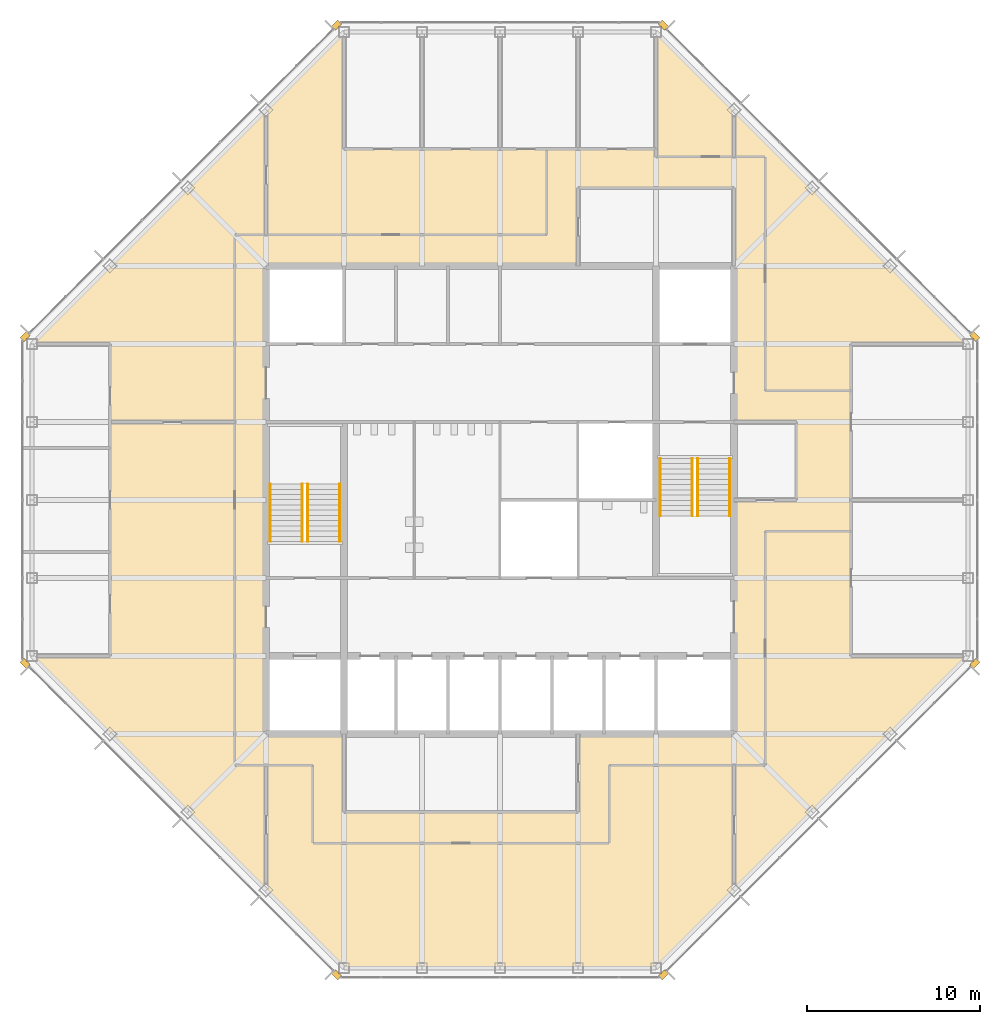
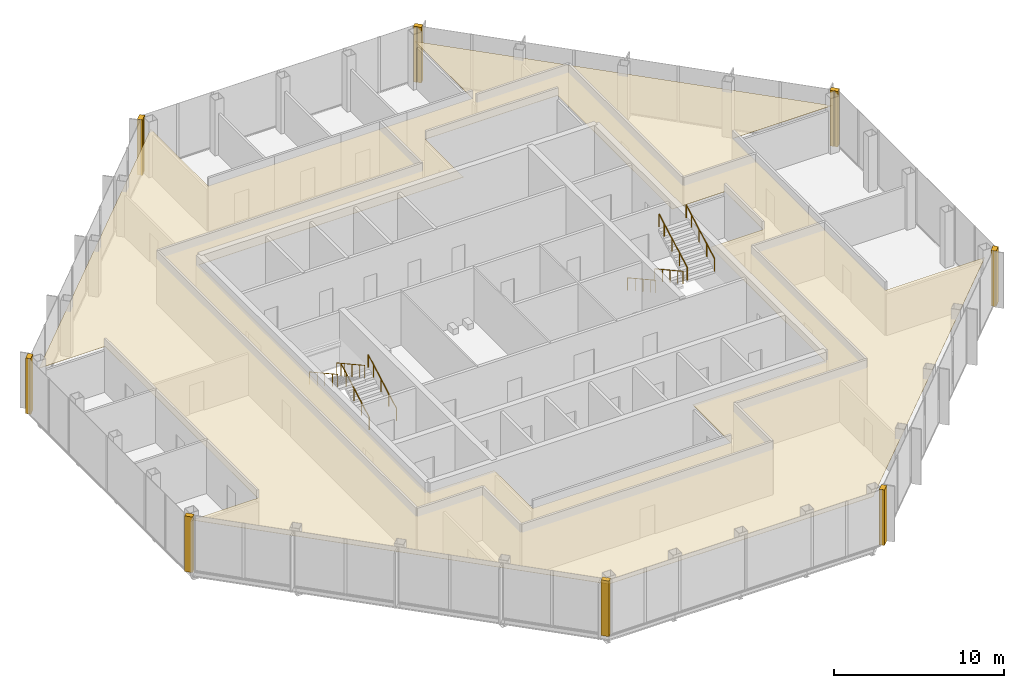
# One storey, part 13 of 14: 9 coverings, 8 railings.
"""IFC4 building model written with IfcOpenShell, lengths in metres."""

from ifc_helpers import new_model, si_unit, direction, frame, origin, origin_2d, place, context, subcontext, project, spatial, polyline, circle, outline, extrude, material, layer, layer_set, type_object, element, save


model = new_model("IFC4")

# Units and contexts
model_context = context("Model", 3, precision=1e-05, world=origin(), true_north=direction((0.0, 1.0)))
body_context = subcontext(model_context, "Body", "Model", "MODEL_VIEW")
ifc_project = project(units=[si_unit("LENGTHUNIT", "METRE"), si_unit("AREAUNIT", "SQUARE_METRE"), si_unit("VOLUMEUNIT", "CUBIC_METRE"), si_unit("PLANEANGLEUNIT", "RADIAN"), si_unit("MASSUNIT", "GRAM", prefix="KILO")], contexts=[model_context])

# Site, building, storey
site_placement = place(None, origin())
site = spatial("IfcSite", under=ifc_project, at=site_placement, CompositionType="ELEMENT")
building_placement = place(site_placement, origin())
building = spatial("IfcBuilding", under=site, at=building_placement, Name="Corais Broadcast Tower", CompositionType="ELEMENT")
storey_placement = place(building_placement, frame((0.0, 0.0, 290.60009765625)))
storey = spatial("IfcBuildingStorey", under=building, at=storey_placement, Name="L68", CompositionType="ELEMENT", Elevation=290.60009765625)

# Railings
ifc_material_1 = material(Name="Stainless steel handrail", Category="steel")
railing_type = type_object("IfcRailingType", Name="Handrail 920", PredefinedType="HANDRAIL", material=ifc_material_1)
for number, where, name in (
    (1, (17.75, 24.60009765625, 0.16650390625), "HR1 L68"),
    (2, (15.89990234375, 24.60009765625, 0.16650390625), "HR1 L68"),
):
    element("IfcRailing", number, at=place(storey_placement, frame(where)), inside=storey, type_object=railing_type, Name=name, PredefinedType="HANDRAIL", context=body_context, shape_type="SweptSolid", body=[
        extrude(circle(Radius=0.02392578125, at=origin_2d()), frame((0.0, 0.0, 0.89599609375), z_axis=(0.0, 0.875504475178, 0.483210010185), x_axis=(-1.0, 0.0, 0.0)), (0.0, 0.0, 1.0), 3.79443359375),
        extrude(circle(Radius=0.02099609375, at=origin_2d()), origin(), (0.0, 0.0, 1.0), 0.871826171875),
        extrude(circle(Radius=0.02099609375, at=origin_2d()), frame((0.0, 0.906005859375, 0.5)), (0.0, 0.0, 1.0), 0.871826171875),
        extrude(circle(Radius=0.02099609375, at=origin_2d()), frame((0.0, 1.81201171875, 1.0)), (0.0, 0.0, 1.0), 0.871826171875),
        extrude(circle(Radius=0.02099609375, at=origin_2d()), frame((0.0, 2.718017578125, 1.500244140625)), (0.0, 0.0, 1.0), 0.871826171875),
        extrude(circle(Radius=0.02099609375, at=origin_2d()), frame((0.0, 3.322021484375, 1.83349609375)), (0.0, 0.0, 1.0), 0.871826171875),
    ])
for number, where, name in (
    (3, (13.75, 27.922119140625, 2.16650390625), "HR1 L68"),
    (4, (15.60009765625, 27.922119140625, 2.16650390625), "HR1 L68"),
    (5, (36.25, 29.39990234375, 0.16650390625), "HR1 L68"),
    (6, (38.10009765625, 29.39990234375, 0.16650390625), "HR1 L68"),
):
    element("IfcRailing", number, at=place(storey_placement, frame(where)), inside=storey, type_object=railing_type, Name=name, PredefinedType="HANDRAIL", context=body_context, shape_type="SweptSolid", body=[
        extrude(circle(Radius=0.02392578125, at=origin_2d()), frame((0.0, 0.0, 0.89599609375), z_axis=(0.0, -0.875504475178, 0.483210010185), x_axis=(1.0, 0.0, 0.0)), (0.0, 0.0, 1.0), 3.79443359375),
        extrude(circle(Radius=0.02099609375, at=origin_2d()), origin(), (0.0, 0.0, 1.0), 0.871826171875),
        extrude(circle(Radius=0.02099609375, at=origin_2d()), frame((0.0, -0.906005859375, 0.5)), (0.0, 0.0, 1.0), 0.871826171875),
        extrude(circle(Radius=0.02099609375, at=origin_2d()), frame((0.0, -1.81201171875, 1.0)), (0.0, 0.0, 1.0), 0.871826171875),
        extrude(circle(Radius=0.02099609375, at=origin_2d()), frame((0.0, -2.718017578125, 1.500244140625)), (0.0, 0.0, 1.0), 0.871826171875),
        extrude(circle(Radius=0.02099609375, at=origin_2d()), frame((0.0, -3.322021484375, 1.83349609375)), (0.0, 0.0, 1.0), 0.871826171875),
    ])
for number, where, name in (
    (7, (40.25, 26.077880859375, 2.16650390625), "HR1 L68"),
    (8, (38.39990234375, 26.077880859375, 2.16650390625), "HR1 L68"),
):
    element("IfcRailing", number, at=place(storey_placement, frame(where)), inside=storey, type_object=railing_type, Name=name, PredefinedType="HANDRAIL", context=body_context, shape_type="SweptSolid", body=[
        extrude(circle(Radius=0.02392578125, at=origin_2d()), frame((0.0, 0.0, 0.89599609375), z_axis=(0.0, 0.875504475178, 0.483210010185), x_axis=(-1.0, 0.0, 0.0)), (0.0, 0.0, 1.0), 3.79443359375),
        extrude(circle(Radius=0.02099609375, at=origin_2d()), origin(), (0.0, 0.0, 1.0), 0.871826171875),
        extrude(circle(Radius=0.02099609375, at=origin_2d()), frame((0.0, 0.906005859375, 0.5)), (0.0, 0.0, 1.0), 0.871826171875),
        extrude(circle(Radius=0.02099609375, at=origin_2d()), frame((0.0, 1.81201171875, 1.0)), (0.0, 0.0, 1.0), 0.871826171875),
        extrude(circle(Radius=0.02099609375, at=origin_2d()), frame((0.0, 2.718017578125, 1.500244140625)), (0.0, 0.0, 1.0), 0.871826171875),
        extrude(circle(Radius=0.02099609375, at=origin_2d()), frame((0.0, 3.322021484375, 1.83349609375)), (0.0, 0.0, 1.0), 0.871826171875),
    ])

# Coverings
ifc_material_2 = material(Name="Granite stone cladding", Category="masonry")
ifc_layer_1 = layer(ifc_material_2, 0.324951171875)
ifc_layer_set_1 = layer_set([ifc_layer_1], Name="Granite stone cladding")
covering_type_1 = type_object("IfcCoveringType", Name="Stone corner pier cladding 500x325", PredefinedType="CLADDING", material=ifc_layer_set_1)
covering_1_placement = place(storey_placement, origin())
element("IfcCovering", 9, at=covering_1_placement, inside=storey, type_object=covering_type_1, Name="SP1 stone corner pier L68", PredefinedType="CLADDING", context=body_context, shape_type="SweptSolid", body=[
    extrude(outline(polyline([(17.860595703125, -0.461669921875), (17.72412109375, -0.324951171875), (17.675048828125, -0.324951171875), (17.675048828125, -0.27587890625), (17.507080078125, -0.108154296875), (17.277099609375, -0.337890625), (17.630859375, -0.69140625), (17.860595703125, -0.461669921875)])), origin(), (0.0, 0.0, 1.0), 4.0),
])
covering_2_placement = place(storey_placement, origin())
element("IfcCovering", 10, at=covering_2_placement, inside=storey, type_object=covering_type_1, Name="SP1 stone corner pier L68", PredefinedType="CLADDING", context=body_context, shape_type="SweptSolid", body=[
    extrude(outline(polyline([(-0.324951171875, 17.72412109375), (-0.461669921875, 17.860595703125), (-0.69140625, 17.630859375), (-0.337890625, 17.277099609375), (-0.108154296875, 17.507080078125), (-0.27587890625, 17.675048828125), (-0.324951171875, 17.675048828125), (-0.324951171875, 17.72412109375)])), origin(), (0.0, 0.0, 1.0), 4.0),
])
covering_3_placement = place(storey_placement, origin())
element("IfcCovering", 11, at=covering_3_placement, inside=storey, type_object=covering_type_1, Name="SP1 stone corner pier L68", PredefinedType="CLADDING", context=body_context, shape_type="SweptSolid", body=[
    extrude(outline(polyline([(-0.461669921875, 36.139404296875), (-0.324951171875, 36.27587890625), (-0.324951171875, 36.324951171875), (-0.27587890625, 36.324951171875), (-0.108154296875, 36.492919921875), (-0.337890625, 36.722900390625), (-0.69140625, 36.369140625), (-0.461669921875, 36.139404296875)])), origin(), (0.0, 0.0, 1.0), 4.0),
])
covering_4_placement = place(storey_placement, origin())
element("IfcCovering", 12, at=covering_4_placement, inside=storey, type_object=covering_type_1, Name="SP1 stone corner pier L68", PredefinedType="CLADDING", context=body_context, shape_type="SweptSolid", body=[
    extrude(outline(polyline([(17.72412109375, 54.324951171875), (17.860595703125, 54.461669921875), (17.630859375, 54.69140625), (17.277099609375, 54.337890625), (17.507080078125, 54.108154296875), (17.675048828125, 54.27587890625), (17.675048828125, 54.324951171875), (17.72412109375, 54.324951171875)])), origin(), (0.0, 0.0, 1.0), 4.0),
])
covering_5_placement = place(storey_placement, origin())
element("IfcCovering", 13, at=covering_5_placement, inside=storey, type_object=covering_type_1, Name="SP1 stone corner pier L68", PredefinedType="CLADDING", context=body_context, shape_type="SweptSolid", body=[
    extrude(outline(polyline([(36.139404296875, 54.461669921875), (36.27587890625, 54.324951171875), (36.324951171875, 54.324951171875), (36.324951171875, 54.27587890625), (36.492919921875, 54.108154296875), (36.722900390625, 54.337890625), (36.369140625, 54.69140625), (36.139404296875, 54.461669921875)])), origin(), (0.0, 0.0, 1.0), 4.0),
])
covering_6_placement = place(storey_placement, origin())
element("IfcCovering", 14, at=covering_6_placement, inside=storey, type_object=covering_type_1, Name="SP1 stone corner pier L68", PredefinedType="CLADDING", context=body_context, shape_type="SweptSolid", body=[
    extrude(outline(polyline([(54.324951171875, 36.27587890625), (54.461669921875, 36.139404296875), (54.69140625, 36.369140625), (54.337890625, 36.722900390625), (54.108154296875, 36.492919921875), (54.27587890625, 36.324951171875), (54.324951171875, 36.324951171875), (54.324951171875, 36.27587890625)])), origin(), (0.0, 0.0, 1.0), 4.0),
])
covering_7_placement = place(storey_placement, origin())
element("IfcCovering", 15, at=covering_7_placement, inside=storey, type_object=covering_type_1, Name="SP1 stone corner pier L68", PredefinedType="CLADDING", context=body_context, shape_type="SweptSolid", body=[
    extrude(outline(polyline([(54.461669921875, 17.860595703125), (54.324951171875, 17.72412109375), (54.324951171875, 17.675048828125), (54.27587890625, 17.675048828125), (54.108154296875, 17.507080078125), (54.337890625, 17.277099609375), (54.69140625, 17.630859375), (54.461669921875, 17.860595703125)])), origin(), (0.0, 0.0, 1.0), 4.0),
])
covering_8_placement = place(storey_placement, origin())
element("IfcCovering", 16, at=covering_8_placement, inside=storey, type_object=covering_type_1, Name="SP1 stone corner pier L68", PredefinedType="CLADDING", context=body_context, shape_type="SweptSolid", body=[
    extrude(outline(polyline([(36.27587890625, -0.324951171875), (36.139404296875, -0.461669921875), (36.369140625, -0.69140625), (36.722900390625, -0.337890625), (36.492919921875, -0.108154296875), (36.324951171875, -0.27587890625), (36.324951171875, -0.324951171875), (36.27587890625, -0.324951171875)])), origin(), (0.0, 0.0, 1.0), 4.0),
])
ifc_material_3 = material(Name="Mineral fibre ceiling tile", Category="mineral")
ifc_layer_2 = layer(ifc_material_3, 0.02001953125)
ifc_layer_set_2 = layer_set([ifc_layer_2], Name="Mineral fibre ceiling tile")
covering_type_2 = type_object("IfcCoveringType", Name="Suspended ceiling", PredefinedType="CEILING", material=ifc_layer_set_2)
covering_9_placement = place(storey_placement, frame((0.0, 0.0, 3.219970703125)))
element("IfcCovering", 17, at=covering_9_placement, inside=storey, type_object=covering_type_2, Name="CE1 ceiling L68", PredefinedType="CEILING", context=body_context, shape_type="SweptSolid", body=[
    extrude(outline(polyline([(13.5, 49.5), (18.0, 54.0), (18.0, 47.25), (36.0, 47.25), (36.0, 54.0), (54.0, 36.0), (47.25, 36.0), (47.25, 18.0), (54.0, 18.0), (40.500244140625, 4.500244140625), (36.0, 0.0), (18.0, 0.0), (13.501708984375, 4.498291015625), (13.50048828125, 4.49951171875), (13.499755859375, 4.500244140625), (0.0, 18.0), (4.5, 18.0), (4.5, 36.0), (0.0, 36.0), (13.5, 49.5)]), holes=[polyline([(44.10009765625, 27.0), (44.10009765625, 31.5), (40.5, 31.5), (40.5, 45.0), (31.5, 45.0), (31.5, 40.5), (13.5, 40.5), (13.5, 13.5), (18.0, 13.5), (18.0, 9.0), (31.5, 9.0), (31.5, 13.5), (40.5, 13.5), (40.5, 27.0), (44.10009765625, 27.0)])]), origin(), (0.0, 0.0, 1.0), 0.02001953125),
])

save(model, "model.ifc")
